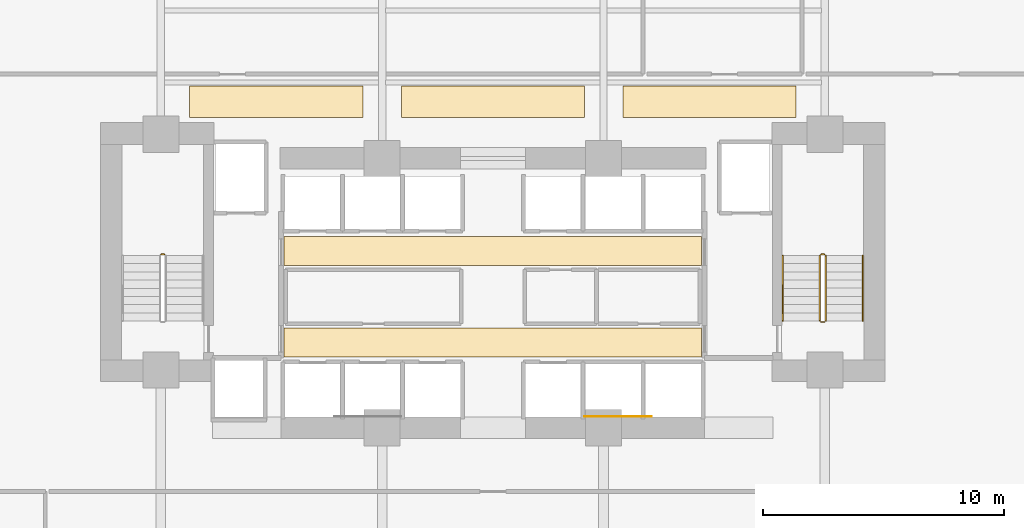
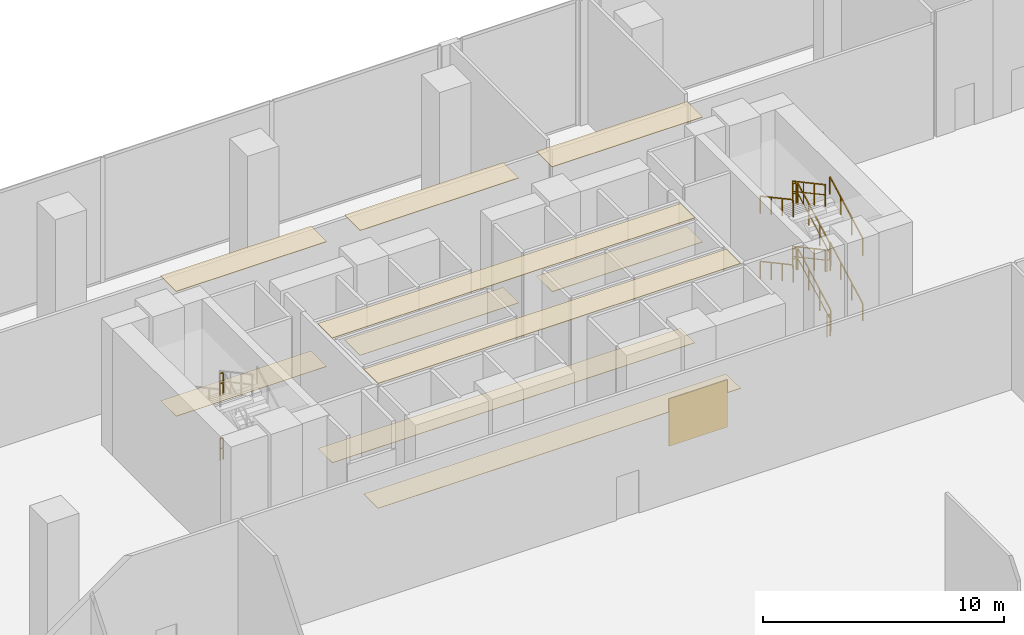
# One storey, part 28 of 30: 14 railings, 11 coverings.
"""IFC4 building model written with IfcOpenShell, lengths in metres."""

from ifc_helpers import new_model, si_unit, direction, frame, origin, origin_2d, place, context, subcontext, project, spatial, polyline, rectangle, outline, extrude, material, layer, layer_set, type_object, element, save


model = new_model("IFC4")

# Units and contexts
model_context = context("Model", 3, precision=1e-05, world=origin(), true_north=direction((0.0, 1.0)))
body_context = subcontext(model_context, "Body", "Model", "MODEL_VIEW")
ifc_project = project(units=[si_unit("LENGTHUNIT", "METRE"), si_unit("AREAUNIT", "SQUARE_METRE"), si_unit("VOLUMEUNIT", "CUBIC_METRE"), si_unit("PLANEANGLEUNIT", "RADIAN"), si_unit("MASSUNIT", "GRAM", prefix="KILO")], contexts=[model_context])

# Site, building, storey
site_placement = place(None, origin())
site = spatial("IfcSite", under=ifc_project, at=site_placement, CompositionType="ELEMENT")
building_placement = place(site_placement, origin())
building = spatial("IfcBuilding", under=site, at=building_placement, Name="Zuhayl Quay Hotel", CompositionType="ELEMENT")
storey_placement = place(building_placement, frame((0.0, 0.0, 11.39990234375)))
storey = spatial("IfcBuildingStorey", under=building, at=storey_placement, Name="L02", CompositionType="ELEMENT", Elevation=11.39990234375)

# Coverings
ifc_material_1 = material(Name="Acoustic Mineral-Fibre Gypsum Board")
ifc_layer_1 = layer(ifc_material_1, 0.02490234375, Name="Acoustic Mineral-Fibre Gypsum Board")
ifc_layer_set_1 = layer_set([ifc_layer_1], Name="Acoustic Mineral-Fibre Gypsum Board")
covering_type_1 = type_object("IfcCoveringType", Name="CV_CEIL_ACOUSTIC", PredefinedType="CEILING", material=ifc_layer_set_1)
covering_1_placement = place(storey_placement, frame((0.0, 0.0, 6.315185546875)))
element("IfcCovering", 1, at=covering_1_placement, inside=storey, type_object=covering_type_1, Name="L02 Suspended Acoustic Lobby Ceiling S", PredefinedType="CEILING", context=body_context, shape_type="SweptSolid", body=[
    extrude(outline(polyline([(-8.679931640625, 5.10009765625), (8.679931640625, 5.10009765625), (8.679931640625, 6.300048828125), (-8.679931640625, 6.300048828125), (-8.679931640625, 5.10009765625)])), origin(), (0.0, 0.0, 1.0), 0.02490234375),
])
covering_2_placement = place(storey_placement, frame((0.0, 0.0, 6.315185546875)))
element("IfcCovering", 2, at=covering_2_placement, inside=storey, type_object=covering_type_1, Name="L02 Suspended Acoustic Lobby Ceiling N", PredefinedType="CEILING", context=body_context, shape_type="SweptSolid", body=[
    extrude(outline(polyline([(-8.679931640625, 8.89990234375), (8.679931640625, 8.89990234375), (8.679931640625, 10.10009765625), (-8.679931640625, 10.10009765625), (-8.679931640625, 8.89990234375)])), origin(), (0.0, 0.0, 1.0), 0.02490234375),
])
covering_3_placement = place(storey_placement, frame((0.0, 0.0, 6.315185546875)))
element("IfcCovering", 3, at=covering_3_placement, inside=storey, type_object=covering_type_1, Name="L02 Guest Corridor Acoustic Ceiling CW", PredefinedType="CEILING", context=body_context, shape_type="SweptSolid", body=[
    extrude(outline(polyline([(-12.60009765625, 15.050048828125), (-5.39990234375, 15.050048828125), (-5.39990234375, 16.35009765625), (-12.60009765625, 16.35009765625), (-12.60009765625, 15.050048828125)])), origin(), (0.0, 0.0, 1.0), 0.02490234375),
])
covering_4_placement = place(storey_placement, frame((0.0, 0.0, 6.315185546875)))
element("IfcCovering", 4, at=covering_4_placement, inside=storey, type_object=covering_type_1, Name="L02 Guest Corridor Acoustic Ceiling CC", PredefinedType="CEILING", context=body_context, shape_type="SweptSolid", body=[
    extrude(outline(polyline([(-3.800048828125, 15.050048828125), (3.800048828125, 15.050048828125), (3.800048828125, 16.35009765625), (-3.800048828125, 16.35009765625), (-3.800048828125, 15.050048828125)])), origin(), (0.0, 0.0, 1.0), 0.02490234375),
])
covering_5_placement = place(storey_placement, frame((0.0, 0.0, 6.315185546875)))
element("IfcCovering", 5, at=covering_5_placement, inside=storey, type_object=covering_type_1, Name="L02 Guest Corridor Acoustic Ceiling CE", PredefinedType="CEILING", context=body_context, shape_type="SweptSolid", body=[
    extrude(outline(polyline([(5.39990234375, 15.050048828125), (12.60009765625, 15.050048828125), (12.60009765625, 16.35009765625), (5.39990234375, 16.35009765625), (5.39990234375, 15.050048828125)])), origin(), (0.0, 0.0, 1.0), 0.02490234375),
])
ifc_material_2 = material(Name="Polished Limestone Terrazzo", Category="masonry")
ifc_layer_2 = layer(ifc_material_2, 0.02001953125, Name="Polished Limestone Terrazzo", Category="masonry")
ifc_layer_set_2 = layer_set([ifc_layer_2], Name="Polished Limestone Terrazzo")
covering_type_2 = type_object("IfcCoveringType", Name="CV_FLOOR_TERRAZZO", PredefinedType="FLOORING", material=ifc_layer_set_2)
covering_6_placement = place(storey_placement, origin())
element("IfcCovering", 6, at=covering_6_placement, inside=storey, type_object=covering_type_2, Name="L02 Honed Limestone Terrazzo Lobby Flooring S", PredefinedType="FLOORING", context=body_context, shape_type="SweptSolid", body=[
    extrude(outline(polyline([(-8.679931640625, 5.10009765625), (8.679931640625, 5.10009765625), (8.679931640625, 6.300048828125), (-8.679931640625, 6.300048828125), (-8.679931640625, 5.10009765625)])), origin(), (0.0, 0.0, 1.0), 0.02001953125),
])
covering_7_placement = place(storey_placement, origin())
element("IfcCovering", 7, at=covering_7_placement, inside=storey, type_object=covering_type_2, Name="L02 Honed Limestone Terrazzo Lobby Flooring N", PredefinedType="FLOORING", context=body_context, shape_type="SweptSolid", body=[
    extrude(outline(polyline([(-8.679931640625, 8.89990234375), (8.679931640625, 8.89990234375), (8.679931640625, 10.10009765625), (-8.679931640625, 10.10009765625), (-8.679931640625, 8.89990234375)])), origin(), (0.0, 0.0, 1.0), 0.02001953125),
])
covering_8_placement = place(storey_placement, origin())
element("IfcCovering", 8, at=covering_8_placement, inside=storey, type_object=covering_type_2, Name="L02 Guest Corridor Terrazzo Runner CW", PredefinedType="FLOORING", context=body_context, shape_type="SweptSolid", body=[
    extrude(outline(polyline([(-12.60009765625, 15.050048828125), (-5.39990234375, 15.050048828125), (-5.39990234375, 16.35009765625), (-12.60009765625, 16.35009765625), (-12.60009765625, 15.050048828125)])), origin(), (0.0, 0.0, 1.0), 0.02001953125),
])
covering_9_placement = place(storey_placement, origin())
element("IfcCovering", 9, at=covering_9_placement, inside=storey, type_object=covering_type_2, Name="L02 Guest Corridor Terrazzo Runner CC", PredefinedType="FLOORING", context=body_context, shape_type="SweptSolid", body=[
    extrude(outline(polyline([(-3.800048828125, 15.050048828125), (3.800048828125, 15.050048828125), (3.800048828125, 16.35009765625), (-3.800048828125, 16.35009765625), (-3.800048828125, 15.050048828125)])), origin(), (0.0, 0.0, 1.0), 0.02001953125),
])
covering_10_placement = place(storey_placement, origin())
element("IfcCovering", 10, at=covering_10_placement, inside=storey, type_object=covering_type_2, Name="L02 Guest Corridor Terrazzo Runner CE", PredefinedType="FLOORING", context=body_context, shape_type="SweptSolid", body=[
    extrude(outline(polyline([(5.39990234375, 15.050048828125), (12.60009765625, 15.050048828125), (12.60009765625, 16.35009765625), (5.39990234375, 16.35009765625), (5.39990234375, 15.050048828125)])), origin(), (0.0, 0.0, 1.0), 0.02001953125),
])
ifc_material_3 = material(Name="Acoustic Walnut Feature Timber", Category="wood")
ifc_layer_3 = layer(ifc_material_3, 0.02197265625, Name="Acoustic Walnut Feature Timber", Category="wood")
ifc_layer_set_3 = layer_set([ifc_layer_3], Name="Acoustic Walnut Feature Timber")
covering_type_3 = type_object("IfcCoveringType", Name="CV_WALL_CLAD", PredefinedType="CLADDING", material=ifc_layer_set_3)
covering_11_placement = place(storey_placement, frame((5.199951171875, 2.611083984375, 0.300048828125), z_axis=(0.0, 0.0, 1.0), x_axis=(1.0, 0.0, 0.0)))
element("IfcCovering", 11, at=covering_11_placement, inside=storey, type_object=covering_type_3, Name="L02 Feature Lobby Walnut Wall Cladding E", PredefinedType="CLADDING", context=body_context, shape_type="SweptSolid", body=[
    extrude(rectangle(XDim=2.800048828125, YDim=0.02197265625, at=origin_2d()), origin(), (0.0, 0.0, 1.0), 2.39990234375),
])

# Railings
ifc_material_4 = material(Name="Steel ASTM A992 Grade 50", Category="steel")
railing_type_1 = type_object("IfcRailingType", Name="RL_GUARD_1100", PredefinedType="GUARDRAIL", material=ifc_material_4)
for number, where, name in (
    (12, (-13.639892578125, 9.360107421875, 1.650146484375), "L02 ST1 stair guard 2"),
    (13, (-13.639892578125, 9.360107421875, 4.9501953125), "L02 ST1 stair guard 6"),
):
    element("IfcRailing", number, at=place(storey_placement, frame(where)), inside=storey, type_object=railing_type_1, Name=name, PredefinedType="GUARDRAIL", context=body_context, shape_type="SweptSolid", body=[
        extrude(rectangle(XDim=0.048095703125, YDim=0.048095703125, at=origin_2d()), frame((0.0, 0.0, 1.09619140625), z_axis=(-1.0, 0.0, 0.0), x_axis=(0.0, -1.0, 0.0)), (0.0, 0.0, 1.0), 0.150146484375),
        extrude(rectangle(XDim=0.0361328125, YDim=0.0361328125, at=origin_2d()), frame((0.0, 0.0, 0.58251953125), z_axis=(-1.0, 0.0, 0.0), x_axis=(0.0, -1.0, 0.0)), (0.0, 0.0, 1.0), 0.150146484375),
        extrude(rectangle(XDim=0.0419921875, YDim=0.0419921875, at=origin_2d()), origin(), (0.0, 0.0, 1.0), 1.072021484375),
        extrude(rectangle(XDim=0.0419921875, YDim=0.0419921875, at=origin_2d()), frame((-0.150146484375, 0.0, 0.0)), (0.0, 0.0, 1.0), 1.072021484375),
    ])
railing_1_placement = place(storey_placement, frame((13.840087890625, 6.590087890625, 0.183349609375)))
element("IfcRailing", 14, at=railing_1_placement, inside=storey, type_object=railing_type_1, Name="L02 ST2 stair guard 1", PredefinedType="GUARDRAIL", context=body_context, shape_type="SweptSolid", body=[
    extrude(rectangle(XDim=0.048095703125, YDim=0.048095703125, at=origin_2d()), frame((0.0, 0.0, 1.09619140625), z_axis=(0.0, 0.880174121961, 0.474650940198), x_axis=(-1.0, 0.0, 0.0)), (0.0, 0.0, 1.0), 3.09033203125),
    extrude(rectangle(XDim=0.0361328125, YDim=0.0361328125, at=origin_2d()), frame((0.0, 0.0, 0.58251953125), z_axis=(0.0, 0.880174121961, 0.474650940198), x_axis=(-1.0, 0.0, 0.0)), (0.0, 0.0, 1.0), 3.09033203125),
    extrude(rectangle(XDim=0.0419921875, YDim=0.0419921875, at=origin_2d()), origin(), (0.0, 0.0, 1.0), 1.072021484375),
    extrude(rectangle(XDim=0.0419921875, YDim=0.0419921875, at=origin_2d()), frame((0.0, 0.90673828125, 0.489013671875)), (0.0, 0.0, 1.0), 1.072021484375),
    extrude(rectangle(XDim=0.0419921875, YDim=0.0419921875, at=origin_2d()), frame((0.0, 1.813232421875, 0.977783203125)), (0.0, 0.0, 1.0), 1.072021484375),
    extrude(rectangle(XDim=0.0419921875, YDim=0.0419921875, at=origin_2d()), frame((0.0, 2.719970703125, 1.466796875)), (0.0, 0.0, 1.0), 1.072021484375),
])
railing_2_placement = place(storey_placement, frame((13.7900390625, 9.360107421875, 1.650146484375)))
element("IfcRailing", 15, at=railing_2_placement, inside=storey, type_object=railing_type_1, Name="L02 ST2 stair guard 2", PredefinedType="GUARDRAIL", context=body_context, shape_type="SweptSolid", body=[
    extrude(rectangle(XDim=0.048095703125, YDim=0.048095703125, at=origin_2d()), frame((0.0, 0.0, 1.09619140625), z_axis=(-1.0, 0.0, 0.0), x_axis=(0.0, -1.0, 0.0)), (0.0, 0.0, 1.0), 0.150146484375),
    extrude(rectangle(XDim=0.0361328125, YDim=0.0361328125, at=origin_2d()), frame((0.0, 0.0, 0.58251953125), z_axis=(-1.0, 0.0, 0.0), x_axis=(0.0, -1.0, 0.0)), (0.0, 0.0, 1.0), 0.150146484375),
    extrude(rectangle(XDim=0.0419921875, YDim=0.0419921875, at=origin_2d()), origin(), (0.0, 0.0, 1.0), 1.072021484375),
    extrude(rectangle(XDim=0.0419921875, YDim=0.0419921875, at=origin_2d()), frame((-0.150146484375, 0.0, 0.0)), (0.0, 0.0, 1.0), 1.072021484375),
])
railing_3_placement = place(storey_placement, frame((13.590087890625, 9.31005859375, 1.83349609375)))
element("IfcRailing", 16, at=railing_3_placement, inside=storey, type_object=railing_type_1, Name="L02 ST2 stair guard 3", PredefinedType="GUARDRAIL", context=body_context, shape_type="SweptSolid", body=[
    extrude(rectangle(XDim=0.048095703125, YDim=0.048095703125, at=origin_2d()), frame((0.0, 0.0, 1.09619140625), z_axis=(0.0, -0.88020712665, 0.4745897325), x_axis=(1.0, 0.0, 0.0)), (0.0, 0.0, 1.0), 3.090087890625),
    extrude(rectangle(XDim=0.0361328125, YDim=0.0361328125, at=origin_2d()), frame((0.0, 0.0, 0.58251953125), z_axis=(0.0, -0.88020712665, 0.4745897325), x_axis=(1.0, 0.0, 0.0)), (0.0, 0.0, 1.0), 3.090087890625),
    extrude(rectangle(XDim=0.0419921875, YDim=0.0419921875, at=origin_2d()), origin(), (0.0, 0.0, 1.0), 1.072021484375),
    extrude(rectangle(XDim=0.0419921875, YDim=0.0419921875, at=origin_2d()), frame((0.0, -0.90673828125, 0.48876953125)), (0.0, 0.0, 1.0), 1.072021484375),
    extrude(rectangle(XDim=0.0419921875, YDim=0.0419921875, at=origin_2d()), frame((0.0, -1.813232421875, 0.977783203125)), (0.0, 0.0, 1.0), 1.072021484375),
    extrude(rectangle(XDim=0.0419921875, YDim=0.0419921875, at=origin_2d()), frame((0.0, -2.719970703125, 1.466552734375)), (0.0, 0.0, 1.0), 1.072021484375),
])
railing_4_placement = place(storey_placement, frame((13.7900390625, 6.5400390625, 3.300048828125)))
element("IfcRailing", 17, at=railing_4_placement, inside=storey, type_object=railing_type_1, Name="L02 ST2 stair guard 4", PredefinedType="GUARDRAIL", context=body_context, shape_type="SweptSolid", body=[
    extrude(rectangle(XDim=0.048095703125, YDim=0.048095703125, at=origin_2d()), frame((0.0, 0.0, 1.09619140625), z_axis=(-1.0, 0.0, 0.0), x_axis=(0.0, -1.0, 0.0)), (0.0, 0.0, 1.0), 0.150146484375),
    extrude(rectangle(XDim=0.0361328125, YDim=0.0361328125, at=origin_2d()), frame((0.0, 0.0, 0.58251953125), z_axis=(-1.0, 0.0, 0.0), x_axis=(0.0, -1.0, 0.0)), (0.0, 0.0, 1.0), 0.150146484375),
    extrude(rectangle(XDim=0.0419921875, YDim=0.0419921875, at=origin_2d()), origin(), (0.0, 0.0, 1.0), 1.072021484375),
    extrude(rectangle(XDim=0.0419921875, YDim=0.0419921875, at=origin_2d()), frame((-0.150146484375, 0.0, 0.0)), (0.0, 0.0, 1.0), 1.072021484375),
])
railing_5_placement = place(storey_placement, frame((13.840087890625, 6.590087890625, 3.4833984375)))
element("IfcRailing", 18, at=railing_5_placement, inside=storey, type_object=railing_type_1, Name="L02 ST2 stair guard 5", PredefinedType="GUARDRAIL", context=body_context, shape_type="SweptSolid", body=[
    extrude(rectangle(XDim=0.048095703125, YDim=0.048095703125, at=origin_2d()), frame((0.0, 0.0, 1.09619140625), z_axis=(0.0, 0.880174121961, 0.474650940198), x_axis=(-1.0, 0.0, 0.0)), (0.0, 0.0, 1.0), 3.09033203125),
    extrude(rectangle(XDim=0.0361328125, YDim=0.0361328125, at=origin_2d()), frame((0.0, 0.0, 0.58251953125), z_axis=(0.0, 0.880174121961, 0.474650940198), x_axis=(-1.0, 0.0, 0.0)), (0.0, 0.0, 1.0), 3.09033203125),
    extrude(rectangle(XDim=0.0419921875, YDim=0.0419921875, at=origin_2d()), origin(), (0.0, 0.0, 1.0), 1.072021484375),
    extrude(rectangle(XDim=0.0419921875, YDim=0.0419921875, at=origin_2d()), frame((0.0, 0.90673828125, 0.489013671875)), (0.0, 0.0, 1.0), 1.072021484375),
    extrude(rectangle(XDim=0.0419921875, YDim=0.0419921875, at=origin_2d()), frame((0.0, 1.813232421875, 0.977783203125)), (0.0, 0.0, 1.0), 1.072021484375),
    extrude(rectangle(XDim=0.0419921875, YDim=0.0419921875, at=origin_2d()), frame((0.0, 2.719970703125, 1.466796875)), (0.0, 0.0, 1.0), 1.072021484375),
])
railing_6_placement = place(storey_placement, frame((13.7900390625, 9.360107421875, 4.9501953125)))
element("IfcRailing", 19, at=railing_6_placement, inside=storey, type_object=railing_type_1, Name="L02 ST2 stair guard 6", PredefinedType="GUARDRAIL", context=body_context, shape_type="SweptSolid", body=[
    extrude(rectangle(XDim=0.048095703125, YDim=0.048095703125, at=origin_2d()), frame((0.0, 0.0, 1.09619140625), z_axis=(-1.0, 0.0, 0.0), x_axis=(0.0, -1.0, 0.0)), (0.0, 0.0, 1.0), 0.150146484375),
    extrude(rectangle(XDim=0.0361328125, YDim=0.0361328125, at=origin_2d()), frame((0.0, 0.0, 0.58251953125), z_axis=(-1.0, 0.0, 0.0), x_axis=(0.0, -1.0, 0.0)), (0.0, 0.0, 1.0), 0.150146484375),
    extrude(rectangle(XDim=0.0419921875, YDim=0.0419921875, at=origin_2d()), origin(), (0.0, 0.0, 1.0), 1.072021484375),
    extrude(rectangle(XDim=0.0419921875, YDim=0.0419921875, at=origin_2d()), frame((-0.150146484375, 0.0, 0.0)), (0.0, 0.0, 1.0), 1.072021484375),
])
railing_7_placement = place(storey_placement, frame((13.590087890625, 9.31005859375, 5.133544921875)))
element("IfcRailing", 20, at=railing_7_placement, inside=storey, type_object=railing_type_1, Name="L02 ST2 stair guard 7", PredefinedType="GUARDRAIL", context=body_context, shape_type="SweptSolid", body=[
    extrude(rectangle(XDim=0.048095703125, YDim=0.048095703125, at=origin_2d()), frame((0.0, 0.0, 1.09619140625), z_axis=(0.0, -0.88020712665, 0.4745897325), x_axis=(1.0, 0.0, 0.0)), (0.0, 0.0, 1.0), 3.090087890625),
    extrude(rectangle(XDim=0.0361328125, YDim=0.0361328125, at=origin_2d()), frame((0.0, 0.0, 0.58251953125), z_axis=(0.0, -0.88020712665, 0.4745897325), x_axis=(1.0, 0.0, 0.0)), (0.0, 0.0, 1.0), 3.090087890625),
    extrude(rectangle(XDim=0.0419921875, YDim=0.0419921875, at=origin_2d()), origin(), (0.0, 0.0, 1.0), 1.072021484375),
    extrude(rectangle(XDim=0.0419921875, YDim=0.0419921875, at=origin_2d()), frame((0.0, -0.90673828125, 0.48876953125)), (0.0, 0.0, 1.0), 1.072021484375),
    extrude(rectangle(XDim=0.0419921875, YDim=0.0419921875, at=origin_2d()), frame((0.0, -1.813232421875, 0.977783203125)), (0.0, 0.0, 1.0), 1.072021484375),
    extrude(rectangle(XDim=0.0419921875, YDim=0.0419921875, at=origin_2d()), frame((0.0, -2.719970703125, 1.466552734375)), (0.0, 0.0, 1.0), 1.072021484375),
])
railing_8_placement = place(storey_placement, frame((13.7900390625, 6.5400390625, 0.0)))
element("IfcRailing", 21, at=railing_8_placement, inside=storey, type_object=railing_type_1, Name="L02 ST2 stair guard 8", PredefinedType="GUARDRAIL", context=body_context, shape_type="SweptSolid", body=[
    extrude(rectangle(XDim=0.048095703125, YDim=0.048095703125, at=origin_2d()), frame((0.0, 0.0, 1.09619140625), z_axis=(-1.0, 0.0, 0.0), x_axis=(0.0, -1.0, 0.0)), (0.0, 0.0, 1.0), 0.150146484375),
    extrude(rectangle(XDim=0.0361328125, YDim=0.0361328125, at=origin_2d()), frame((0.0, 0.0, 0.58251953125), z_axis=(-1.0, 0.0, 0.0), x_axis=(0.0, -1.0, 0.0)), (0.0, 0.0, 1.0), 0.150146484375),
    extrude(rectangle(XDim=0.0419921875, YDim=0.0419921875, at=origin_2d()), origin(), (0.0, 0.0, 1.0), 1.072021484375),
    extrude(rectangle(XDim=0.0419921875, YDim=0.0419921875, at=origin_2d()), frame((-0.150146484375, 0.0, 0.0)), (0.0, 0.0, 1.0), 1.072021484375),
])
railing_type_2 = type_object("IfcRailingType", Name="RL_HANDRAIL_920", PredefinedType="HANDRAIL", material=ifc_material_4)
railing_9_placement = place(storey_placement, frame((15.3798828125, 6.590087890625, 0.183349609375)))
element("IfcRailing", 22, at=railing_9_placement, inside=storey, type_object=railing_type_2, Name="L02 ST2 stair handrail 1", PredefinedType="HANDRAIL", context=body_context, shape_type="SweptSolid", body=[
    extrude(rectangle(XDim=0.048095703125, YDim=0.048095703125, at=origin_2d()), frame((0.0, 0.0, 0.8759765625), z_axis=(0.0, 0.880174121961, 0.474650940198), x_axis=(-1.0, 0.0, 0.0)), (0.0, 0.0, 1.0), 3.09033203125),
    extrude(rectangle(XDim=0.0419921875, YDim=0.0419921875, at=origin_2d()), origin(), (0.0, 0.0, 1.0), 0.851806640625),
    extrude(rectangle(XDim=0.0419921875, YDim=0.0419921875, at=origin_2d()), frame((0.0, 0.90673828125, 0.489013671875)), (0.0, 0.0, 1.0), 0.851806640625),
    extrude(rectangle(XDim=0.0419921875, YDim=0.0419921875, at=origin_2d()), frame((0.0, 1.813232421875, 0.977783203125)), (0.0, 0.0, 1.0), 0.851806640625),
    extrude(rectangle(XDim=0.0419921875, YDim=0.0419921875, at=origin_2d()), frame((0.0, 2.719970703125, 1.466796875)), (0.0, 0.0, 1.0), 0.851806640625),
])
railing_10_placement = place(storey_placement, frame((12.050048828125, 9.31005859375, 1.83349609375)))
element("IfcRailing", 23, at=railing_10_placement, inside=storey, type_object=railing_type_2, Name="L02 ST2 stair handrail 2", PredefinedType="HANDRAIL", context=body_context, shape_type="SweptSolid", body=[
    extrude(rectangle(XDim=0.048095703125, YDim=0.048095703125, at=origin_2d()), frame((0.0, 0.0, 0.8759765625), z_axis=(0.0, -0.88020712665, 0.4745897325), x_axis=(1.0, 0.0, 0.0)), (0.0, 0.0, 1.0), 3.090087890625),
    extrude(rectangle(XDim=0.0419921875, YDim=0.0419921875, at=origin_2d()), origin(), (0.0, 0.0, 1.0), 0.851806640625),
    extrude(rectangle(XDim=0.0419921875, YDim=0.0419921875, at=origin_2d()), frame((0.0, -0.90673828125, 0.48876953125)), (0.0, 0.0, 1.0), 0.851806640625),
    extrude(rectangle(XDim=0.0419921875, YDim=0.0419921875, at=origin_2d()), frame((0.0, -1.813232421875, 0.977783203125)), (0.0, 0.0, 1.0), 0.851806640625),
    extrude(rectangle(XDim=0.0419921875, YDim=0.0419921875, at=origin_2d()), frame((0.0, -2.719970703125, 1.466552734375)), (0.0, 0.0, 1.0), 0.851806640625),
])
railing_11_placement = place(storey_placement, frame((15.3798828125, 6.590087890625, 3.4833984375)))
element("IfcRailing", 24, at=railing_11_placement, inside=storey, type_object=railing_type_2, Name="L02 ST2 stair handrail 3", PredefinedType="HANDRAIL", context=body_context, shape_type="SweptSolid", body=[
    extrude(rectangle(XDim=0.048095703125, YDim=0.048095703125, at=origin_2d()), frame((0.0, 0.0, 0.8759765625), z_axis=(0.0, 0.880174121961, 0.474650940198), x_axis=(-1.0, 0.0, 0.0)), (0.0, 0.0, 1.0), 3.09033203125),
    extrude(rectangle(XDim=0.0419921875, YDim=0.0419921875, at=origin_2d()), origin(), (0.0, 0.0, 1.0), 0.851806640625),
    extrude(rectangle(XDim=0.0419921875, YDim=0.0419921875, at=origin_2d()), frame((0.0, 0.90673828125, 0.489013671875)), (0.0, 0.0, 1.0), 0.851806640625),
    extrude(rectangle(XDim=0.0419921875, YDim=0.0419921875, at=origin_2d()), frame((0.0, 1.813232421875, 0.977783203125)), (0.0, 0.0, 1.0), 0.851806640625),
    extrude(rectangle(XDim=0.0419921875, YDim=0.0419921875, at=origin_2d()), frame((0.0, 2.719970703125, 1.466796875)), (0.0, 0.0, 1.0), 0.851806640625),
])
railing_12_placement = place(storey_placement, frame((12.050048828125, 9.31005859375, 5.133544921875)))
element("IfcRailing", 25, at=railing_12_placement, inside=storey, type_object=railing_type_2, Name="L02 ST2 stair handrail 4", PredefinedType="HANDRAIL", context=body_context, shape_type="SweptSolid", body=[
    extrude(rectangle(XDim=0.048095703125, YDim=0.048095703125, at=origin_2d()), frame((0.0, 0.0, 0.8759765625), z_axis=(0.0, -0.88020712665, 0.4745897325), x_axis=(1.0, 0.0, 0.0)), (0.0, 0.0, 1.0), 3.090087890625),
    extrude(rectangle(XDim=0.0419921875, YDim=0.0419921875, at=origin_2d()), origin(), (0.0, 0.0, 1.0), 0.851806640625),
    extrude(rectangle(XDim=0.0419921875, YDim=0.0419921875, at=origin_2d()), frame((0.0, -0.90673828125, 0.48876953125)), (0.0, 0.0, 1.0), 0.851806640625),
    extrude(rectangle(XDim=0.0419921875, YDim=0.0419921875, at=origin_2d()), frame((0.0, -1.813232421875, 0.977783203125)), (0.0, 0.0, 1.0), 0.851806640625),
    extrude(rectangle(XDim=0.0419921875, YDim=0.0419921875, at=origin_2d()), frame((0.0, -2.719970703125, 1.466552734375)), (0.0, 0.0, 1.0), 0.851806640625),
])

save(model, "model.ifc")
